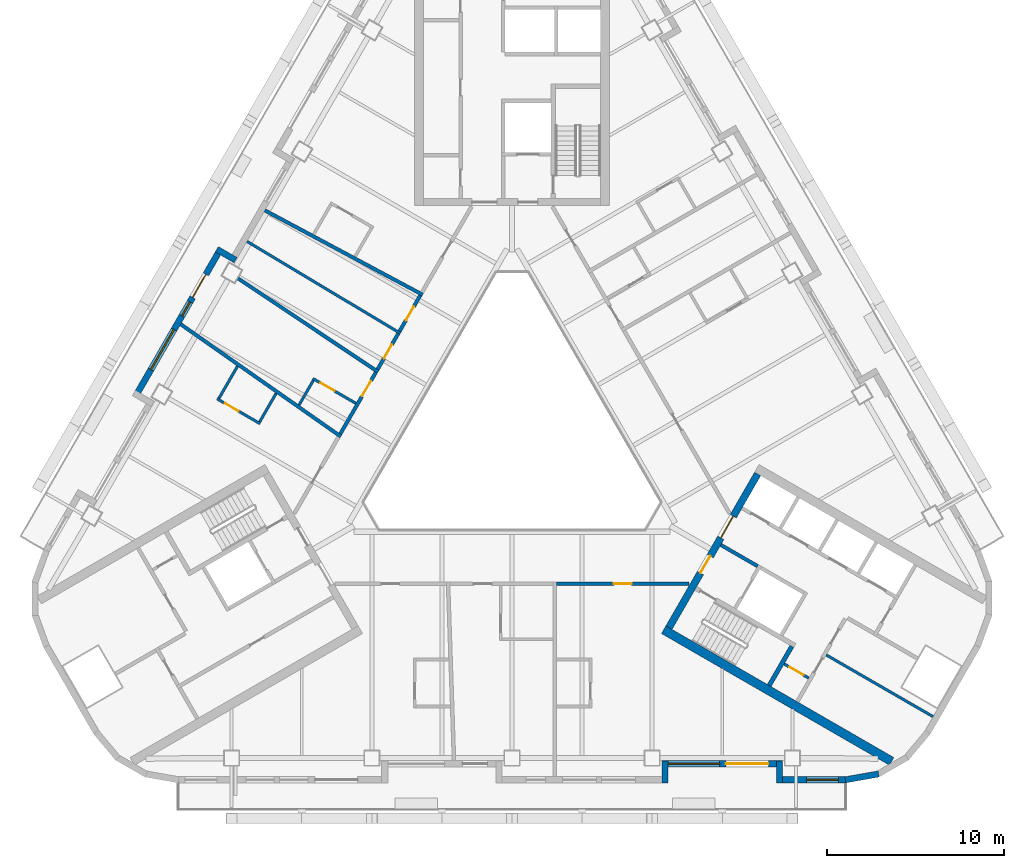
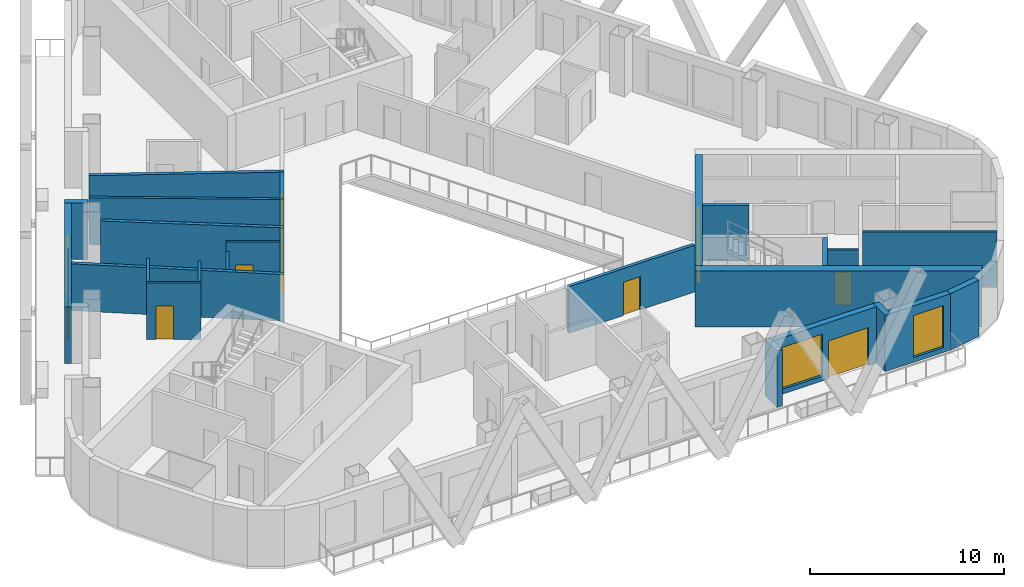
# One storey, part 4 of 14: 26 walls, 11 doors, 4 windows, 15 openings.
"""IFC4 building model written with IfcOpenShell, lengths in metres."""

from ifc_helpers import new_model, si_unit, direction, frame, frame_2d, origin, place, context, subcontext, project, spatial, rectangle, extrude, material, layer, layer_set, type_object, element, fill, save


model = new_model("IFC4")

# Units and contexts
model_context = context("Model", 3, precision=1e-05, world=origin(), true_north=direction((0.0, 1.0)))
body_context = subcontext(model_context, "Body", "Model", "MODEL_VIEW")
ifc_project = project(units=[si_unit("LENGTHUNIT", "METRE"), si_unit("AREAUNIT", "SQUARE_METRE"), si_unit("VOLUMEUNIT", "CUBIC_METRE"), si_unit("PLANEANGLEUNIT", "RADIAN"), si_unit("MASSUNIT", "GRAM", prefix="KILO")], contexts=[model_context])

# Site, building, storey
site_placement = place(None, origin())
site = spatial("IfcSite", under=ifc_project, at=site_placement, CompositionType="ELEMENT")
building_placement = place(site_placement, origin())
building = spatial("IfcBuilding", under=site, at=building_placement, Name="Apuvela Tower Hotel", CompositionType="ELEMENT")
storey_placement = place(building_placement, frame((0.0, 0.0, 98.300048828125)))
storey = spatial("IfcBuildingStorey", under=building, at=storey_placement, Name="L22", CompositionType="ELEMENT", Elevation=98.300048828125)

# Wall, openings, doors
ifc_material_1 = material(Name="Concrete C50/60", Category="concrete")
ifc_layer_1 = layer(ifc_material_1, 0.39990234375)
ifc_layer_set_1 = layer_set([ifc_layer_1], Name="COR-WALL-CORE-400")
wall_type_1 = type_object("IfcWallType", Name="COR-WALL-CORE-400", PredefinedType="SHEAR", material=ifc_layer_set_1)
wall_1_placement = place(storey_placement, frame((8.844970703125, -10.880126953125, 0.0), z_axis=(0.0, 0.0, 1.0), x_axis=(0.500004234368, 0.866022959057, 0.0)))
wall_1 = element("IfcWall", 1, at=wall_1_placement, inside=storey, type_object=wall_type_1, Name="Core wall SE", PredefinedType="SHEAR", context=body_context, shape_type="SweptSolid", body=[
    extrude(rectangle(XDim=10.0, YDim=0.39990234375, at=frame_2d((5.0, 0.0))), origin(), (0.0, 0.0, 1.0), 3.5),
])
opening_1_placement = place(wall_1_placement, frame((3.550048828125, 0.0, 0.0)))
opening_1 = element("IfcOpeningElement", 2, at=opening_1_placement, cuts=wall_1, Name="Opening E-FD", PredefinedType="OPENING", context=body_context, shape_type="SweptSolid", body=[
    extrude(rectangle(XDim=1.10009765625, YDim=2.10009765625, at=frame_2d((0.550048828125, 1.050048828125))), frame((0.0, 0.2099609375, 0.0), z_axis=(0.0, -1.0, 0.0), x_axis=(1.0, 0.0, 0.0)), (0.0, 0.0, 1.0), 0.419921875),
])
opening_2_placement = place(wall_1_placement, frame((5.85009765625, 0.0, 0.0)))
opening_2 = element("IfcOpeningElement", 3, at=opening_2_placement, cuts=wall_1, Name="Opening E-GD", PredefinedType="OPENING", context=body_context, shape_type="SweptSolid", body=[
    extrude(rectangle(XDim=1.39990234375, YDim=2.10009765625, at=frame_2d((0.699951171875, 1.050048828125))), frame((0.0, 0.2099609375, 0.0), z_axis=(0.0, -1.0, 0.0), x_axis=(1.0, 0.0, 0.0)), (0.0, 0.0, 1.0), 0.419921875),
])
ifc_material_2 = material(Name="Steel fire door, powder coated", Category="steel")
door_type_1 = type_object("IfcDoorType", Name="COR-FD-1100", OperationType="NOTDEFINED", PredefinedType="DOOR", material=ifc_material_2)
door_1_placement = place(opening_1_placement, frame((1.10009765625, 0.0, 0.0), z_axis=(0.0, 0.0, 1.0), x_axis=(-1.0, 0.0, 0.0)))
door_1 = element("IfcDoor", 4, at=door_1_placement, inside=storey, type_object=door_type_1, Name="Firefighting lobby door E-FD", OperationType="SINGLE_SWING_LEFT", OverallHeight=2.10009765625, OverallWidth=1.10009765625, PredefinedType="DOOR", context=body_context, shape_type="SweptSolid", body=[
    extrude(rectangle(XDim=1.10009765625, YDim=2.10009765625, at=frame_2d((0.550048828125, 1.050048828125))), frame((0.0, 0.02490234375, 0.0), z_axis=(0.0, -1.0, 0.0), x_axis=(1.0, 0.0, 0.0)), (0.0, 0.0, 1.0), 0.050048828125),
])
fill(opening_1, door_1)
ifc_material_3 = material(Name="Glazed steel fire door", Category="steel")
door_type_2 = type_object("IfcDoorType", Name="COR-GD-1400", OperationType="DOUBLE_DOOR_SINGLE_SWING", PredefinedType="DOOR", material=ifc_material_3)
door_2_placement = place(opening_2_placement, frame((1.39990234375, 0.0, 0.0), z_axis=(0.0, 0.0, 1.0), x_axis=(-1.0, 0.0, 0.0)))
door_2 = element("IfcDoor", 5, at=door_2_placement, inside=storey, type_object=door_type_2, Name="Lift lobby door E-GD", OperationType="DOUBLE_DOOR_SINGLE_SWING", OverallHeight=2.10009765625, OverallWidth=1.39990234375, PredefinedType="DOOR", context=body_context, shape_type="SweptSolid", body=[
    extrude(rectangle(XDim=1.39990234375, YDim=2.10009765625, at=frame_2d((0.699951171875, 1.050048828125))), frame((0.0, 0.02490234375, 0.0), z_axis=(0.0, -1.0, 0.0), x_axis=(1.0, 0.0, 0.0)), (0.0, 0.0, 1.0), 0.050048828125),
])
fill(opening_2, door_2)

# Wall
ifc_layer_2 = layer(ifc_material_1, 0.5)
ifc_layer_set_2 = layer_set([ifc_layer_2], Name="COR-WALL-CORE-500")
wall_type_2 = type_object("IfcWallType", Name="COR-WALL-CORE-500", PredefinedType="SHEAR", material=ifc_layer_set_2)
wall_2_placement = place(storey_placement, frame((8.546630859375, -10.99658203125, 0.0), z_axis=(0.0, 0.0, 1.0), x_axis=(0.866025009528, -0.500000682871, 0.0)))
element("IfcWall", 6, at=wall_2_placement, inside=storey, type_object=wall_type_2, Name="Core wall SE", PredefinedType="SHEAR", context=body_context, shape_type="SweptSolid", body=[
    extrude(rectangle(XDim=14.8369140625, YDim=0.5, at=frame_2d((7.41845703125, 0.0))), origin(), (0.0, 0.0, 1.0), 3.5),
])

# Wall, opening, door
ifc_material_4 = material(Name="Blockwork 150 mm plastered", Category="masonry")
ifc_layer_3 = layer(ifc_material_4, 0.14990234375)
ifc_layer_set_3 = layer_set([ifc_layer_3], Name="COR-WALL-PART-150")
wall_type_3 = type_object("IfcWallType", Name="COR-WALL-PART-150", PredefinedType="PARTITIONING", material=ifc_layer_set_3)
wall_3_placement = place(storey_placement, frame((15.341552734375, -12.927734375, 0.0), z_axis=(0.0, 0.0, 1.0), x_axis=(0.865989903783, -0.500061482766, 0.0)))
wall_3 = element("IfcWall", 7, at=wall_3_placement, inside=storey, type_object=wall_type_3, Name="Partition SE", PredefinedType="PARTITIONING", context=body_context, shape_type="SweptSolid", body=[
    extrude(rectangle(XDim=1.599853515625, YDim=0.14990234375, at=frame_2d((0.7998046875, 0.0))), origin(), (0.0, 0.0, 1.0), 3.5),
])
opening_3_placement = place(wall_3_placement, frame((0.35009765625, 0.0, 0.0)))
opening_3 = element("IfcOpeningElement", 8, at=opening_3_placement, cuts=wall_3, Name="Opening E-RD", PredefinedType="OPENING", context=body_context, shape_type="SweptSolid", body=[
    extrude(rectangle(XDim=0.89990234375, YDim=2.10009765625, at=frame_2d((0.449951171875, 1.050048828125))), frame((0.0, 0.0849609375, 0.0), z_axis=(0.0, -1.0, 0.0), x_axis=(1.0, 0.0, 0.0)), (0.0, 0.0, 1.0), 0.169921875),
])
ifc_material_5 = material(Name="Steel access door, powder coated", Category="steel")
door_type_3 = type_object("IfcDoorType", Name="COR-RD-900", OperationType="NOTDEFINED", PredefinedType="DOOR", material=ifc_material_5)
door_3_placement = place(opening_3_placement, frame((0.89990234375, 0.0, 0.0), z_axis=(0.0, 0.0, 1.0), x_axis=(-1.0, 0.0, 0.0)))
door_3 = element("IfcDoor", 9, at=door_3_placement, inside=storey, type_object=door_type_3, Name="Riser door E-RD", OperationType="SINGLE_SWING_LEFT", OverallHeight=2.10009765625, OverallWidth=0.89990234375, PredefinedType="DOOR", context=body_context, shape_type="SweptSolid", body=[
    extrude(rectangle(XDim=0.89990234375, YDim=2.10009765625, at=frame_2d((0.449951171875, 1.050048828125))), frame((0.0, 0.02490234375, 0.0), z_axis=(0.0, -1.0, 0.0), x_axis=(1.0, 0.0, 0.0)), (0.0, 0.0, 1.0), 0.050048828125),
])
fill(opening_3, door_3)

# Walls
wall_4_placement = place(storey_placement, frame((17.712890625, -12.42041015625, 0.0), z_axis=(0.0, 0.0, 1.0), x_axis=(0.866016523273, -0.500015381182, 0.0)))
element("IfcWall", 10, at=wall_4_placement, inside=storey, type_object=wall_type_3, Name="Partition SE", PredefinedType="PARTITIONING", context=body_context, shape_type="SweptSolid", body=[
    extrude(rectangle(XDim=6.949951171875, YDim=0.14990234375, at=frame_2d((3.47509765625, 0.0))), origin(), (0.0, 0.0, 1.0), 3.5),
])
ifc_layer_4 = layer(ifc_material_1, 0.199951171875)
ifc_layer_set_4 = layer_set([ifc_layer_4], Name="COR-WALL-SHAFT-200")
wall_type_4 = type_object("IfcWallType", Name="COR-WALL-SHAFT-200", PredefinedType="SHEAR", material=ifc_layer_set_4)
wall_5_placement = place(storey_placement, frame((11.76806640625, -6.217041015625, 0.0), z_axis=(0.0, 0.0, 1.0), x_axis=(0.866050077142, -0.499957262057, 0.0)))
element("IfcWall", 11, at=wall_5_placement, inside=storey, type_object=wall_type_4, Name="Shaft wall SE", PredefinedType="SHEAR", context=body_context, shape_type="SweptSolid", body=[
    extrude(rectangle(XDim=2.400146484375, YDim=0.199951171875, at=frame_2d((1.2001953125, 0.0))), origin(), (0.0, 0.0, 1.0), 3.5),
])
ifc_layer_5 = layer(ifc_material_1, 0.25)
ifc_layer_set_5 = layer_set([ifc_layer_5], Name="COR-WALL-STAIR-250")
wall_type_5 = type_object("IfcWallType", Name="COR-WALL-STAIR-250", PredefinedType="SHEAR", material=ifc_layer_set_5)
wall_6_placement = place(storey_placement, frame((14.49560546875, -14.142578125, 0.0), z_axis=(0.0, 0.0, 1.0), x_axis=(0.500062241894, 0.865989465428, 0.0)))
element("IfcWall", 12, at=wall_6_placement, inside=storey, type_object=wall_type_5, Name="Stair wall SE", PredefinedType="SHEAR", context=body_context, shape_type="SweptSolid", body=[
    extrude(rectangle(XDim=2.550048828125, YDim=0.25, at=frame_2d((1.27490234375, 0.0))), origin(), (0.0, 0.0, 1.0), 3.5),
])
ifc_material_6 = material(Name="Concrete C40/50, dark pigmented precast panel", Category="concrete")
ifc_layer_6 = layer(ifc_material_6, 0.35009765625)
ifc_layer_set_6 = layer_set([ifc_layer_6], Name="ENV-WALL-350")
wall_type_6 = type_object("IfcWallType", Name="ENV-WALL-350", PredefinedType="SOLIDWALL", material=ifc_layer_set_6)
wall_7_placement = place(storey_placement, frame((-15.580810546875, 9.8330078125, 0.0), z_axis=(0.0, 0.0, 1.0), x_axis=(-0.866055662726, 0.499947586314, 0.0)))
element("IfcWall", 13, at=wall_7_placement, inside=storey, type_object=wall_type_6, Name="External wall L22-04", PredefinedType="SOLIDWALL", context=body_context, shape_type="SweptSolid", body=[
    extrude(rectangle(XDim=1.220458984375, YDim=0.35009765625, at=frame_2d((0.6103515625, 0.0))), origin(), (0.0, 0.0, 1.0), 3.550048828125),
])

# Wall, openings, door, windows
wall_8_placement = place(storey_placement, frame((-16.3984375, 10.507080078125, 0.0), z_axis=(0.0, 0.0, 1.0), x_axis=(-0.499999142773, -0.866025898704, 0.0)))
wall_8 = element("IfcWall", 14, at=wall_8_placement, inside=storey, type_object=wall_type_6, Name="External wall L22-05", PredefinedType="SOLIDWALL", context=body_context, shape_type="SweptSolid", body=[
    extrude(rectangle(XDim=9.7001953125, YDim=0.35009765625, at=frame_2d((4.85009765625, 0.0))), origin(), (0.0, 0.0, 1.0), 3.550048828125),
])
opening_4_placement = place(wall_8_placement, frame((1.7001953125, 0.0, 0.0)))
opening_4 = element("IfcOpeningElement", 15, at=opening_4_placement, cuts=wall_8, Name="Opening BD15", PredefinedType="OPENING", context=body_context, shape_type="SweptSolid", body=[
    extrude(rectangle(XDim=1.5, YDim=2.39990234375, at=frame_2d((0.75, 1.199951171875))), frame((0.0, 0.18505859375, 0.0), z_axis=(0.0, -1.0, 0.0), x_axis=(1.0, 0.0, 0.0)), (0.0, 0.0, 1.0), 0.3701171875),
])
opening_5_placement = place(wall_8_placement, frame((3.500244140625, 0.0, 0.300048828125)))
opening_5 = element("IfcOpeningElement", 16, at=opening_5_placement, cuts=wall_8, Name="Opening WN09", PredefinedType="OPENING", context=body_context, shape_type="SweptSolid", body=[
    extrude(rectangle(XDim=0.89990234375, YDim=2.64990234375, at=frame_2d((0.449951171875, 1.324951171875))), frame((0.0, 0.18505859375, 0.0), z_axis=(0.0, -1.0, 0.0), x_axis=(1.0, 0.0, 0.0)), (0.0, 0.0, 1.0), 0.3701171875),
])
opening_6_placement = place(wall_8_placement, frame((5.300537109375, 0.0, 0.300048828125)))
opening_6 = element("IfcOpeningElement", 17, at=opening_6_placement, cuts=wall_8, Name="Opening WN26", PredefinedType="OPENING", context=body_context, shape_type="SweptSolid", body=[
    extrude(rectangle(XDim=2.60009765625, YDim=2.64990234375, at=frame_2d((1.300048828125, 1.324951171875))), frame((0.0, 0.18505859375, 0.0), z_axis=(0.0, -1.0, 0.0), x_axis=(1.0, 0.0, 0.0)), (0.0, 0.0, 1.0), 0.3701171875),
])
ifc_material_7 = material(Name="Aluminium 6063-T6, dark bronze anodised frame with dark tinted laminated glass", Category="aluminium")
door_type_4 = type_object("IfcDoorType", Name="ENV-DOOR-BALCONY-1500x2400", OperationType="SLIDING_TO_LEFT", PredefinedType="DOOR", material=ifc_material_7)
door_4_placement = place(opening_4_placement, frame((1.5, 0.0, 0.0), z_axis=(0.0, 0.0, 1.0), x_axis=(-1.0, 0.0, 0.0)))
door_4 = element("IfcDoor", 18, at=door_4_placement, inside=storey, type_object=door_type_4, Name="Balcony door BD15", OperationType="SLIDING_TO_LEFT", OverallHeight=2.39990234375, OverallWidth=1.5, PredefinedType="DOOR", context=body_context, shape_type="SweptSolid", body=[
    extrude(rectangle(XDim=1.5, YDim=2.39990234375, at=frame_2d((0.75, 1.199951171875))), frame((0.0, 0.02490234375, 0.0), z_axis=(0.0, -1.0, 0.0), x_axis=(1.0, 0.0, 0.0)), (0.0, 0.0, 1.0), 0.050048828125),
])
fill(opening_4, door_4)
ifc_material_8 = material(Name="Glass, dark tinted laminated insulated glazing unit", Category="glass")
window_type_1 = type_object("IfcWindowType", Name="ENV-WIN-2600x2650", PartitioningType="SINGLE_PANEL", PredefinedType="WINDOW", material=ifc_material_8)
window_1_placement = place(opening_6_placement, origin())
window_1 = element("IfcWindow", 19, at=window_1_placement, inside=storey, type_object=window_type_1, Name="Window WN26", OverallHeight=2.64990234375, OverallWidth=2.60009765625, PartitioningType="SINGLE_PANEL", PredefinedType="WINDOW", context=body_context, shape_type="SweptSolid", body=[
    extrude(rectangle(XDim=2.60009765625, YDim=2.64990234375, at=frame_2d((1.300048828125, 1.324951171875))), frame((0.0, 0.030029296875, 0.0), z_axis=(0.0, -1.0, 0.0), x_axis=(1.0, 0.0, 0.0)), (0.0, 0.0, 1.0), 0.06005859375),
])
fill(opening_6, window_1)
window_type_2 = type_object("IfcWindowType", Name="ENV-WIN-900x2650", PartitioningType="SINGLE_PANEL", PredefinedType="WINDOW", material=ifc_material_8)
window_2_placement = place(opening_5_placement, origin())
window_2 = element("IfcWindow", 20, at=window_2_placement, inside=storey, type_object=window_type_2, Name="Window WN09", OverallHeight=2.64990234375, OverallWidth=0.89990234375, PartitioningType="SINGLE_PANEL", PredefinedType="WINDOW", context=body_context, shape_type="SweptSolid", body=[
    extrude(rectangle(XDim=0.89990234375, YDim=2.64990234375, at=frame_2d((0.449951171875, 1.324951171875))), frame((0.0, 0.030029296875, 0.0), z_axis=(0.0, -1.0, 0.0), x_axis=(1.0, 0.0, 0.0)), (0.0, 0.0, 1.0), 0.06005859375),
])
fill(opening_5, window_2)

# Wall
wall_9_placement = place(storey_placement, frame((8.625, -19.6298828125, 0.0), z_axis=(0.0, 0.0, 1.0), x_axis=(0.0, 1.0, 0.0)))
element("IfcWall", 21, at=wall_9_placement, inside=storey, type_object=wall_type_6, Name="External wall L22-22", PredefinedType="SOLIDWALL", context=body_context, shape_type="SweptSolid", body=[
    extrude(rectangle(XDim=1.219970703125, YDim=0.35009765625, at=frame_2d((0.60986328125, 0.0))), origin(), (0.0, 0.0, 1.0), 3.550048828125),
])

# Wall, openings, door, window
wall_10_placement = place(storey_placement, frame((8.47998046875, -18.554931640625, 0.0), z_axis=(0.0, 0.0, 1.0), x_axis=(1.0, 0.0, 0.0)))
wall_10 = element("IfcWall", 22, at=wall_10_placement, inside=storey, type_object=wall_type_6, Name="External wall L22-23", PredefinedType="SOLIDWALL", context=body_context, shape_type="SweptSolid", body=[
    extrude(rectangle(XDim=6.739990234375, YDim=0.35009765625, at=frame_2d((3.3701171875, 0.0))), origin(), (0.0, 0.0, 1.0), 3.550048828125),
])
opening_7_placement = place(wall_10_placement, frame((3.570068359375, 0.0, 0.0)))
opening_7 = element("IfcOpeningElement", 23, at=opening_7_placement, cuts=wall_10, Name="Opening BD24", PredefinedType="OPENING", context=body_context, shape_type="SweptSolid", body=[
    extrude(rectangle(XDim=2.39990234375, YDim=2.39990234375, at=frame_2d((1.199951171875, 1.199951171875))), frame((0.0, 0.18505859375, 0.0), z_axis=(0.0, -1.0, 0.0), x_axis=(1.0, 0.0, 0.0)), (0.0, 0.0, 1.0), 0.3701171875),
])
opening_8_placement = place(wall_10_placement, frame((0.3203125, 0.0, 0.300048828125)))
opening_8 = element("IfcOpeningElement", 24, at=opening_8_placement, cuts=wall_10, Name="Opening WN29", PredefinedType="OPENING", context=body_context, shape_type="SweptSolid", body=[
    extrude(rectangle(XDim=2.89990234375, YDim=2.64990234375, at=frame_2d((1.449951171875, 1.324951171875))), frame((0.0, 0.18505859375, 0.0), z_axis=(0.0, -1.0, 0.0), x_axis=(1.0, 0.0, 0.0)), (0.0, 0.0, 1.0), 0.3701171875),
])
door_type_5 = type_object("IfcDoorType", Name="ENV-DOOR-BALCONY-2400x2400", OperationType="SLIDING_TO_LEFT", PredefinedType="DOOR", material=ifc_material_7)
door_5_placement = place(opening_7_placement, frame((2.39990234375, 0.0, 0.0), z_axis=(0.0, 0.0, 1.0), x_axis=(-1.0, 0.0, 0.0)))
door_5 = element("IfcDoor", 25, at=door_5_placement, inside=storey, type_object=door_type_5, Name="Balcony door BD24", OperationType="SLIDING_TO_LEFT", OverallHeight=2.39990234375, OverallWidth=2.39990234375, PredefinedType="DOOR", context=body_context, shape_type="SweptSolid", body=[
    extrude(rectangle(XDim=2.39990234375, YDim=2.39990234375, at=frame_2d((1.199951171875, 1.199951171875))), frame((0.0, 0.02490234375, 0.0), z_axis=(0.0, -1.0, 0.0), x_axis=(1.0, 0.0, 0.0)), (0.0, 0.0, 1.0), 0.050048828125),
])
fill(opening_7, door_5)
window_type_3 = type_object("IfcWindowType", Name="ENV-WIN-2900x2650", PartitioningType="SINGLE_PANEL", PredefinedType="WINDOW", material=ifc_material_8)
window_3_placement = place(opening_8_placement, origin())
window_3 = element("IfcWindow", 26, at=window_3_placement, inside=storey, type_object=window_type_3, Name="Window WN29", OverallHeight=2.64990234375, OverallWidth=2.89990234375, PartitioningType="SINGLE_PANEL", PredefinedType="WINDOW", context=body_context, shape_type="SweptSolid", body=[
    extrude(rectangle(XDim=2.89990234375, YDim=2.64990234375, at=frame_2d((1.449951171875, 1.324951171875))), frame((0.0, 0.030029296875, 0.0), z_axis=(0.0, -1.0, 0.0), x_axis=(1.0, 0.0, 0.0)), (0.0, 0.0, 1.0), 0.06005859375),
])
fill(opening_8, window_3)

# Wall
wall_11_placement = place(storey_placement, frame((15.074951171875, -18.409912109375, 0.0), z_axis=(0.0, 0.0, 1.0), x_axis=(0.0, -1.0, 0.0)))
element("IfcWall", 27, at=wall_11_placement, inside=storey, type_object=wall_type_6, Name="External wall L22-24", PredefinedType="SOLIDWALL", context=body_context, shape_type="SweptSolid", body=[
    extrude(rectangle(XDim=1.219970703125, YDim=0.35009765625, at=frame_2d((0.60986328125, 0.0))), origin(), (0.0, 0.0, 1.0), 3.550048828125),
])

# Wall, opening, window
wall_12_placement = place(storey_placement, frame((14.89990234375, -19.455078125, 0.0), z_axis=(0.0, 0.0, 1.0), x_axis=(1.0, 0.0, 0.0)))
wall_12 = element("IfcWall", 28, at=wall_12_placement, inside=storey, type_object=wall_type_6, Name="External wall L22-25", PredefinedType="SOLIDWALL", context=body_context, shape_type="SweptSolid", body=[
    extrude(rectangle(XDim=3.916015625, YDim=0.35009765625, at=frame_2d((1.9580078125, 0.0))), origin(), (0.0, 0.0, 1.0), 3.550048828125),
])
opening_9_placement = place(wall_12_placement, frame((1.699951171875, 0.0, 0.300048828125)))
opening_9 = element("IfcOpeningElement", 29, at=opening_9_placement, cuts=wall_12, Name="Opening WN18", PredefinedType="OPENING", context=body_context, shape_type="SweptSolid", body=[
    extrude(rectangle(XDim=1.800048828125, YDim=2.64990234375, at=frame_2d((0.89990234375, 1.324951171875))), frame((0.0, 0.18505859375, 0.0), z_axis=(0.0, -1.0, 0.0), x_axis=(1.0, 0.0, 0.0)), (0.0, 0.0, 1.0), 0.3701171875),
])
window_type_4 = type_object("IfcWindowType", Name="ENV-WIN-1800x2650", PartitioningType="SINGLE_PANEL", PredefinedType="WINDOW", material=ifc_material_8)
window_4_placement = place(opening_9_placement, origin())
window_4 = element("IfcWindow", 30, at=window_4_placement, inside=storey, type_object=window_type_4, Name="Window WN18", OverallHeight=2.64990234375, OverallWidth=1.800048828125, PartitioningType="SINGLE_PANEL", PredefinedType="WINDOW", context=body_context, shape_type="SweptSolid", body=[
    extrude(rectangle(XDim=1.800048828125, YDim=2.64990234375, at=frame_2d((0.89990234375, 1.324951171875))), frame((0.0, 0.030029296875, 0.0), z_axis=(0.0, -1.0, 0.0), x_axis=(1.0, 0.0, 0.0)), (0.0, 0.0, 1.0), 0.06005859375),
])
fill(opening_9, window_4)

# Walls
wall_13_placement = place(storey_placement, frame((18.785400390625, -19.457763671875, 0.0), z_axis=(0.0, 0.0, 1.0), x_axis=(0.984798995425, 0.173697837091, 0.0)))
element("IfcWall", 31, at=wall_13_placement, inside=storey, type_object=wall_type_6, Name="External wall L22-26", PredefinedType="SOLIDWALL", context=body_context, shape_type="SweptSolid", body=[
    extrude(rectangle(XDim=1.91015625, YDim=0.35009765625, at=frame_2d((0.955078125, 0.0))), origin(), (0.0, 0.0, 1.0), 3.550048828125),
])
ifc_material_9 = material(Name="Gypsum board partition on twin steel stud", Category="steel")
ifc_layer_7 = layer(ifc_material_9, 0.199951171875)
ifc_layer_set_7 = layer_set([ifc_layer_7], Name="GST-PW1")
wall_type_7 = type_object("IfcWallType", Name="GST-PW1", PredefinedType="PARTITIONING", material=ifc_layer_set_7)
wall_14_placement = place(storey_placement, frame((-13.927978515625, 12.635986328125, 0.0), z_axis=(0.0, 0.0, 1.0), x_axis=(0.881791431821, -0.471639555981, 0.0)))
element("IfcWall", 32, at=wall_14_placement, inside=storey, type_object=wall_type_7, Name="L22 partition 05", PredefinedType="PARTITIONING", context=body_context, shape_type="SweptSolid", body=[
    extrude(rectangle(XDim=10.085205078125, YDim=0.199951171875, at=frame_2d((5.04248046875, 0.0))), origin(), (0.0, 0.0, 1.0), 2.949951171875),
])
wall_15_placement = place(storey_placement, frame((-15.446533203125, 8.8056640625, 0.0), z_axis=(0.0, 0.0, 1.0), x_axis=(0.831801127359, -0.55507376494, 0.0)))
element("IfcWall", 33, at=wall_15_placement, inside=storey, type_object=wall_type_7, Name="L22 partition 06", PredefinedType="PARTITIONING", context=body_context, shape_type="SweptSolid", body=[
    extrude(rectangle(XDim=9.5, YDim=0.199951171875, at=frame_2d((4.75, 0.0))), origin(), (0.0, 0.0, 1.0), 2.949951171875),
])
wall_16_placement = place(storey_placement, frame((-18.672119140625, 6.21923828125, 0.0), z_axis=(0.0, 0.0, 1.0), x_axis=(0.81879048929, -0.574092444341, 0.0)))
element("IfcWall", 34, at=wall_16_placement, inside=storey, type_object=wall_type_7, Name="L22 partition 07", PredefinedType="PARTITIONING", context=body_context, shape_type="SweptSolid", body=[
    extrude(rectangle(XDim=11.02294921875, YDim=0.199951171875, at=frame_2d((5.511474609375, 0.0))), origin(), (0.0, 0.0, 1.0), 2.949951171875),
])

# Wall, opening, door
ifc_material_10 = material(Name="Gypsum board corridor wall on twin steel stud, acoustic", Category="steel")
ifc_layer_8 = layer(ifc_material_10, 0.199951171875)
ifc_layer_set_8 = layer_set([ifc_layer_8], Name="GST-PW2")
wall_type_8 = type_object("IfcWallType", Name="GST-PW2", PredefinedType="PARTITIONING", material=ifc_layer_set_8)
wall_17_placement = place(storey_placement, frame((9.98828125, -8.39990234375, 0.0), z_axis=(0.0, 0.0, 1.0), x_axis=(-1.0, 0.0, 0.0)))
wall_17 = element("IfcWall", 35, at=wall_17_placement, inside=storey, type_object=wall_type_8, Name="L22 partition 15", PredefinedType="PARTITIONING", context=body_context, shape_type="SweptSolid", body=[
    extrude(rectangle(XDim=7.48828125, YDim=0.199951171875, at=frame_2d((3.744140625, 0.0))), origin(), (0.0, 0.0, 1.0), 2.949951171875),
])
opening_10_placement = place(wall_17_placement, frame((3.244140625, 0.0, 0.0)))
opening_10 = element("IfcOpeningElement", 36, at=opening_10_placement, cuts=wall_17, Name="Opening GD07-06", PredefinedType="OPENING", context=body_context, shape_type="SweptSolid", body=[
    extrude(rectangle(XDim=1.0, YDim=2.10009765625, at=frame_2d((0.5, 1.050048828125))), frame((0.0, 0.10986328125, 0.0), z_axis=(0.0, -1.0, 0.0), x_axis=(1.0, 0.0, 0.0)), (0.0, 0.0, 1.0), 0.219970703125),
])
ifc_material_11 = material(Name="Timber door leaf in steel frame", Category="steel")
door_type_6 = type_object("IfcDoorType", Name="GST-D1", OperationType="NOTDEFINED", PredefinedType="DOOR", material=ifc_material_11)
door_6_placement = place(opening_10_placement, origin())
door_6 = element("IfcDoor", 37, at=door_6_placement, inside=storey, type_object=door_type_6, Name="Door L22-06", OperationType="SINGLE_SWING_RIGHT", OverallHeight=2.10009765625, OverallWidth=1.0, PredefinedType="DOOR", context=body_context, shape_type="SweptSolid", body=[
    extrude(rectangle(XDim=1.0, YDim=2.10009765625, at=frame_2d((0.5, 1.050048828125))), frame((0.0, 0.02490234375, 0.0), z_axis=(0.0, -1.0, 0.0), x_axis=(1.0, 0.0, 0.0)), (0.0, 0.0, 1.0), 0.050048828125),
])
fill(opening_10, door_6)

wall_18_placement = place(storey_placement, frame((-6.337890625, 5.822509765625, 0.0), z_axis=(0.0, 0.0, 1.0), x_axis=(0.499982502246, 0.866035505882, 0.0)))
wall_18 = element("IfcWall", 38, at=wall_18_placement, inside=storey, type_object=wall_type_8, Name="L22 partition 35", PredefinedType="PARTITIONING", context=body_context, shape_type="SweptSolid", body=[
    extrude(rectangle(XDim=2.32958984375, YDim=0.199951171875, at=frame_2d((1.164794921875, 0.0))), origin(), (0.0, 0.0, 1.0), 2.949951171875),
])
opening_11_placement = place(wall_18_placement, frame((0.71484375, 0.0, 0.0)))
opening_11 = element("IfcOpeningElement", 39, at=opening_11_placement, cuts=wall_18, Name="Opening GD07-15", PredefinedType="OPENING", context=body_context, shape_type="SweptSolid", body=[
    extrude(rectangle(XDim=0.89990234375, YDim=2.10009765625, at=frame_2d((0.449951171875, 1.050048828125))), frame((0.0, 0.10986328125, 0.0), z_axis=(0.0, -1.0, 0.0), x_axis=(1.0, 0.0, 0.0)), (0.0, 0.0, 1.0), 0.219970703125),
])
door_type_7 = type_object("IfcDoorType", Name="GST-D2", OperationType="NOTDEFINED", PredefinedType="DOOR", material=ifc_material_11)
door_7_placement = place(opening_11_placement, origin())
door_7 = element("IfcDoor", 40, at=door_7_placement, inside=storey, type_object=door_type_7, Name="Door L22-15", OperationType="SINGLE_SWING_LEFT", OverallHeight=2.10009765625, OverallWidth=0.89990234375, PredefinedType="DOOR", context=body_context, shape_type="SweptSolid", body=[
    extrude(rectangle(XDim=0.89990234375, YDim=2.10009765625, at=frame_2d((0.449951171875, 1.050048828125))), frame((0.0, 0.02490234375, 0.0), z_axis=(0.0, -1.0, 0.0), x_axis=(1.0, 0.0, 0.0)), (0.0, 0.0, 1.0), 0.050048828125),
])
fill(opening_11, door_7)

wall_19_placement = place(storey_placement, frame((-7.577880859375, 3.6748046875, 0.0), z_axis=(0.0, 0.0, 1.0), x_axis=(0.500061095026, 0.865990127681, 0.0)))
wall_19 = element("IfcWall", 41, at=wall_19_placement, inside=storey, type_object=wall_type_8, Name="L22 partition 36", PredefinedType="PARTITIONING", context=body_context, shape_type="SweptSolid", body=[
    extrude(rectangle(XDim=2.329833984375, YDim=0.199951171875, at=frame_2d((1.1650390625, 0.0))), origin(), (0.0, 0.0, 1.0), 2.949951171875),
])
opening_12_placement = place(wall_19_placement, frame((0.71484375, 0.0, 0.0)))
opening_12 = element("IfcOpeningElement", 42, at=opening_12_placement, cuts=wall_19, Name="Opening GD07-16", PredefinedType="OPENING", context=body_context, shape_type="SweptSolid", body=[
    extrude(rectangle(XDim=0.89990234375, YDim=2.10009765625, at=frame_2d((0.449951171875, 1.050048828125))), frame((0.0, 0.10986328125, 0.0), z_axis=(0.0, -1.0, 0.0), x_axis=(1.0, 0.0, 0.0)), (0.0, 0.0, 1.0), 0.219970703125),
])
door_8_placement = place(opening_12_placement, origin())
door_8 = element("IfcDoor", 43, at=door_8_placement, inside=storey, type_object=door_type_7, Name="Door L22-16", OperationType="SINGLE_SWING_RIGHT", OverallHeight=2.10009765625, OverallWidth=0.89990234375, PredefinedType="DOOR", context=body_context, shape_type="SweptSolid", body=[
    extrude(rectangle(XDim=0.89990234375, YDim=2.10009765625, at=frame_2d((0.449951171875, 1.050048828125))), frame((0.0, 0.02490234375, 0.0), z_axis=(0.0, -1.0, 0.0), x_axis=(1.0, 0.0, 0.0)), (0.0, 0.0, 1.0), 0.050048828125),
])
fill(opening_12, door_8)

wall_20_placement = place(storey_placement, frame((-9.6787109375, 0.035888671875, 0.0), z_axis=(0.0, 0.0, 1.0), x_axis=(0.499977712642, 0.866038271014, 0.0)))
wall_20 = element("IfcWall", 44, at=wall_20_placement, inside=storey, type_object=wall_type_8, Name="L22 partition 37", PredefinedType="PARTITIONING", context=body_context, shape_type="SweptSolid", body=[
    extrude(rectangle(XDim=4.001708984375, YDim=0.199951171875, at=frame_2d((2.0009765625, 0.0))), origin(), (0.0, 0.0, 1.0), 2.949951171875),
])
opening_13_placement = place(wall_20_placement, frame((2.458740234375, 0.0, 0.0)))
opening_13 = element("IfcOpeningElement", 45, at=opening_13_placement, cuts=wall_20, Name="Opening GD07-18", PredefinedType="OPENING", context=body_context, shape_type="SweptSolid", body=[
    extrude(rectangle(XDim=1.0, YDim=2.10009765625, at=frame_2d((0.5, 1.050048828125))), frame((0.0, 0.10986328125, 0.0), z_axis=(0.0, -1.0, 0.0), x_axis=(1.0, 0.0, 0.0)), (0.0, 0.0, 1.0), 0.219970703125),
])
door_9_placement = place(opening_13_placement, origin())
door_9 = element("IfcDoor", 46, at=door_9_placement, inside=storey, type_object=door_type_6, Name="Door L22-18", OperationType="SINGLE_SWING_RIGHT", OverallHeight=2.10009765625, OverallWidth=1.0, PredefinedType="DOOR", context=body_context, shape_type="SweptSolid", body=[
    extrude(rectangle(XDim=1.0, YDim=2.10009765625, at=frame_2d((0.5, 1.050048828125))), frame((0.0, 0.02490234375, 0.0), z_axis=(0.0, -1.0, 0.0), x_axis=(1.0, 0.0, 0.0)), (0.0, 0.0, 1.0), 0.050048828125),
])
fill(opening_13, door_9)

# Wall
ifc_material_12 = material(Name="Moisture-resistant gypsum board wet wall on steel stud", Category="steel")
ifc_layer_9 = layer(ifc_material_12, 0.14990234375)
ifc_layer_set_9 = layer_set([ifc_layer_9], Name="GST-PW3")
wall_type_9 = type_object("IfcWallType", Name="GST-PW3", PredefinedType="PARTITIONING", material=ifc_layer_set_9)
wall_21_placement = place(storey_placement, frame((-14.937255859375, 10.8876953125, 0.0), z_axis=(0.0, 0.0, 1.0), x_axis=(0.857798338883, -0.513986390685, 0.0)))
element("IfcWall", 47, at=wall_21_placement, inside=storey, type_object=wall_type_9, Name="L22 partition 34", PredefinedType="PARTITIONING", context=body_context, shape_type="SweptSolid", body=[
    extrude(rectangle(XDim=10.081298828125, YDim=0.14990234375, at=frame_2d((5.04052734375, 0.0))), origin(), (0.0, 0.0, 1.0), 2.9599609375),
])

# Wall, opening, door
wall_22_placement = place(storey_placement, frame((-8.798583984375, 1.760498046875, 0.0), z_axis=(0.0, 0.0, 1.0), x_axis=(-0.866034573852, 0.49998411664, 0.0)))
wall_22 = element("IfcWall", 48, at=wall_22_placement, inside=storey, type_object=wall_type_9, Name="L22 partition 38", PredefinedType="PARTITIONING", context=body_context, shape_type="SweptSolid", body=[
    extrude(rectangle(XDim=2.7998046875, YDim=0.14990234375, at=frame_2d((1.39990234375, 0.0))), origin(), (0.0, 0.0, 1.0), 3.550048828125),
])
opening_14_placement = place(wall_22_placement, frame((1.39990234375, 0.0, 0.0)))
opening_14 = element("IfcOpeningElement", 49, at=opening_14_placement, cuts=wall_22, Name="Opening GD07-17", PredefinedType="OPENING", context=body_context, shape_type="SweptSolid", body=[
    extrude(rectangle(XDim=0.89990234375, YDim=2.10009765625, at=frame_2d((0.449951171875, 1.050048828125))), frame((0.0, 0.0849609375, 0.0), z_axis=(0.0, -1.0, 0.0), x_axis=(1.0, 0.0, 0.0)), (0.0, 0.0, 1.0), 0.169921875),
])
door_10_placement = place(opening_14_placement, origin())
door_10 = element("IfcDoor", 50, at=door_10_placement, inside=storey, type_object=door_type_7, Name="Door L22-17", OperationType="SINGLE_SWING_RIGHT", OverallHeight=2.10009765625, OverallWidth=0.89990234375, PredefinedType="DOOR", context=body_context, shape_type="SweptSolid", body=[
    extrude(rectangle(XDim=0.89990234375, YDim=2.10009765625, at=frame_2d((0.449951171875, 1.050048828125))), frame((0.0, 0.02490234375, 0.0), z_axis=(0.0, -1.0, 0.0), x_axis=(1.0, 0.0, 0.0)), (0.0, 0.0, 1.0), 0.050048828125),
])
fill(opening_14, door_10)

# Wall
wall_23_placement = place(storey_placement, frame((-11.19580078125, 3.05810546875, 0.0), z_axis=(0.0, 0.0, 1.0), x_axis=(-0.500085588237, -0.865975983754, 0.0)))
element("IfcWall", 51, at=wall_23_placement, inside=storey, type_object=wall_type_9, Name="L22 partition 39", PredefinedType="PARTITIONING", context=body_context, shape_type="SweptSolid", body=[
    extrude(rectangle(XDim=1.610107421875, YDim=0.14990234375, at=frame_2d((0.80517578125, 0.0))), origin(), (0.0, 0.0, 1.0), 2.949951171875),
])

# Wall, opening, door
wall_24_placement = place(storey_placement, frame((-16.618896484375, 2.015380859375, 0.0), z_axis=(0.0, 0.0, 1.0), x_axis=(0.865996816683, -0.500049511043, 0.0)))
wall_24 = element("IfcWall", 52, at=wall_24_placement, inside=storey, type_object=wall_type_9, Name="L22 partition 41", PredefinedType="PARTITIONING", context=body_context, shape_type="SweptSolid", body=[
    extrude(rectangle(XDim=2.800048828125, YDim=0.14990234375, at=frame_2d((1.39990234375, 0.0))), origin(), (0.0, 0.0, 1.0), 3.550048828125),
])
opening_15_placement = place(wall_24_placement, frame((0.5, 0.0, 0.0)))
opening_15 = element("IfcOpeningElement", 53, at=opening_15_placement, cuts=wall_24, Name="Opening GD07-19", PredefinedType="OPENING", context=body_context, shape_type="SweptSolid", body=[
    extrude(rectangle(XDim=0.89990234375, YDim=2.10009765625, at=frame_2d((0.449951171875, 1.050048828125))), frame((0.0, 0.0849609375, 0.0), z_axis=(0.0, -1.0, 0.0), x_axis=(1.0, 0.0, 0.0)), (0.0, 0.0, 1.0), 0.169921875),
])
door_11_placement = place(opening_15_placement, origin())
door_11 = element("IfcDoor", 54, at=door_11_placement, inside=storey, type_object=door_type_7, Name="Door L22-19", OperationType="SINGLE_SWING_LEFT", OverallHeight=2.10009765625, OverallWidth=0.89990234375, PredefinedType="DOOR", context=body_context, shape_type="SweptSolid", body=[
    extrude(rectangle(XDim=0.89990234375, YDim=2.10009765625, at=frame_2d((0.449951171875, 1.050048828125))), frame((0.0, 0.02490234375, 0.0), z_axis=(0.0, -1.0, 0.0), x_axis=(1.0, 0.0, 0.0)), (0.0, 0.0, 1.0), 0.050048828125),
])
fill(opening_15, door_11)

# Walls
wall_25_placement = place(storey_placement, frame((-15.47119140625, 3.852783203125, 0.0), z_axis=(0.0, 0.0, 1.0), x_axis=(-0.500046000743, -0.865998843614, 0.0)))
element("IfcWall", 55, at=wall_25_placement, inside=storey, type_object=wall_type_9, Name="L22 partition 42", PredefinedType="PARTITIONING", context=body_context, shape_type="SweptSolid", body=[
    extrude(rectangle(XDim=2.090087890625, YDim=0.14990234375, at=frame_2d((1.044921875, 0.0))), origin(), (0.0, 0.0, 1.0), 3.550048828125),
])
wall_26_placement = place(storey_placement, frame((-13.293212890625, 2.32568359375, 0.0), z_axis=(0.0, 0.0, 1.0), x_axis=(-0.499957702264, -0.866049823017, 0.0)))
element("IfcWall", 56, at=wall_26_placement, inside=storey, type_object=wall_type_9, Name="L22 partition 43", PredefinedType="PARTITIONING", context=body_context, shape_type="SweptSolid", body=[
    extrude(rectangle(XDim=1.856689453125, YDim=0.14990234375, at=frame_2d((0.92822265625, 0.0))), origin(), (0.0, 0.0, 1.0), 3.550048828125),
])

save(model, "model.ifc")
